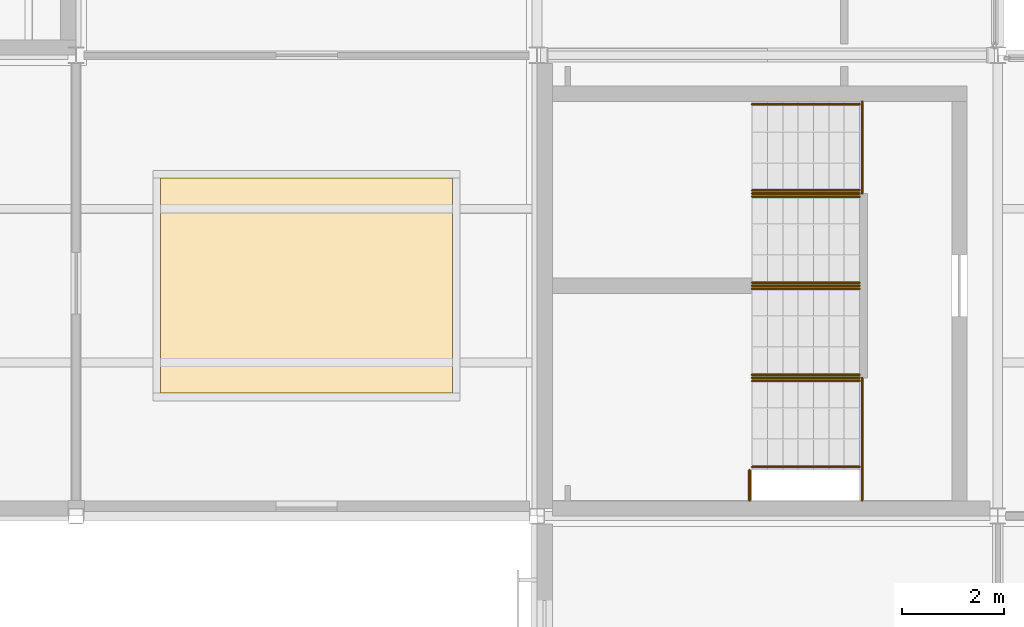
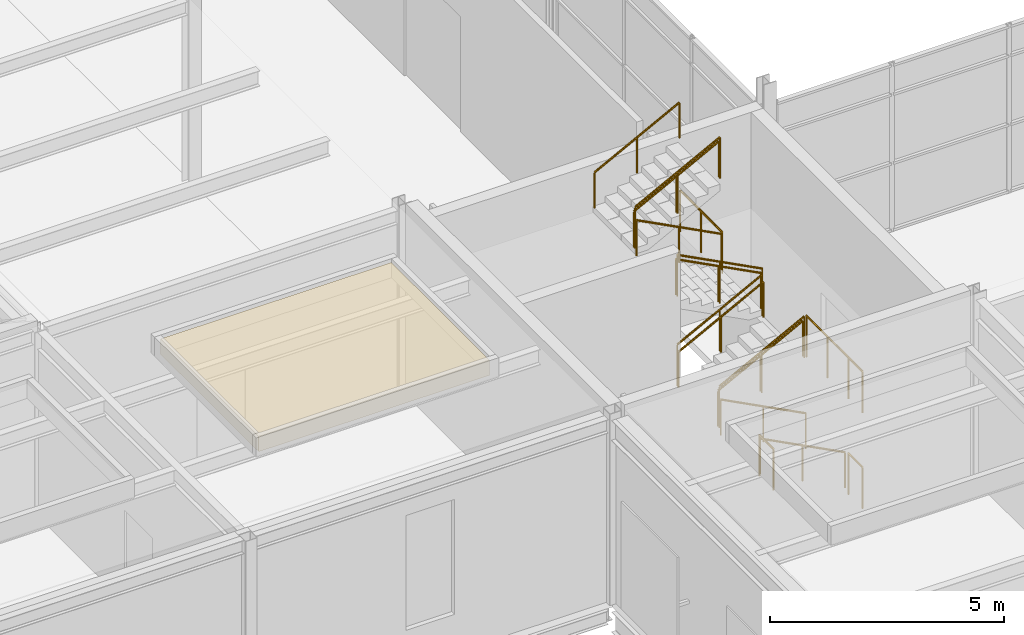
# One storey, part 109 of 115: 17 railings, 1 covering.
"""IFC4 building model written with IfcOpenShell, lengths in metres."""

from ifc_helpers import new_model, si_unit, direction, frame, origin, origin_2d, place, context, subcontext, project, spatial, polyline, circle, outline, extrude, material, layer, layer_set, type_object, element, save


model = new_model("IFC4")

# Units and contexts
model_context = context("Model", 3, precision=1e-05, world=origin(), true_north=direction((0.0, 1.0)))
body_context = subcontext(model_context, "Body", "Model", "MODEL_VIEW")
ifc_project = project(units=[si_unit("LENGTHUNIT", "METRE"), si_unit("AREAUNIT", "SQUARE_METRE"), si_unit("VOLUMEUNIT", "CUBIC_METRE"), si_unit("PLANEANGLEUNIT", "RADIAN"), si_unit("MASSUNIT", "GRAM", prefix="KILO")], contexts=[model_context])

# Site, building, storey
site_placement = place(None, origin())
site = spatial("IfcSite", under=ifc_project, at=site_placement, CompositionType="ELEMENT")
building_placement = place(site_placement, origin())
building = spatial("IfcBuilding", under=site, at=building_placement, Name="Shorebreak Coast Museum", CompositionType="ELEMENT")
storey_placement = place(building_placement, frame((0.0, 0.0, 11.0)))
storey = spatial("IfcBuildingStorey", under=building, at=storey_placement, Name="L02", CompositionType="ELEMENT", Elevation=11.0)

# Covering
ifc_material_1 = material(Name="Growing medium")
ifc_layer = layer(ifc_material_1, 0.39990234375)
ifc_layer_set = layer_set([ifc_layer], Name="Growing medium")
covering_type = type_object("IfcCoveringType", Name="Roof garden planting 400", PredefinedType="FLOORING", material=ifc_layer_set)
covering_placement = place(storey_placement, frame((0.0, 0.0, 5.0)))
element("IfcCovering", 1, at=covering_placement, inside=storey, type_object=covering_type, Name="Roof garden planting", PredefinedType="FLOORING", context=body_context, shape_type="SweptSolid", body=[
    extrude(outline(polyline([(52.35009765625, 56.39990234375), (52.35009765625, 60.60009765625), (46.64990234375, 60.60009765625), (46.64990234375, 56.39990234375), (52.35009765625, 56.39990234375)])), origin(), (0.0, 0.0, 1.0), 0.39990234375),
])

# Railings
ifc_material_2 = material(Name="Steel Grade 300", Category="steel")
railing_type_1 = type_object("IfcRailingType", Name="Stair guard 1100", PredefinedType="GUARDRAIL", material=ifc_material_2)
for number, where, name in (
    (2, (60.35009765625, 54.89990234375, 2.5), "Guard ST01 L02 landing mid1"),
    (3, (60.35009765625, 60.300048828125, 2.5), "Guard ST01 L02 landing mid1"),
):
    element("IfcRailing", number, at=place(storey_placement, frame(where)), inside=storey, type_object=railing_type_1, Name=name, PredefinedType="GUARDRAIL", context=body_context, shape_type="SweptSolid", body=[
        extrude(circle(Radius=0.02490234375, at=origin_2d()), frame((0.0, 0.0, 1.0751953125), z_axis=(0.0, 1.0, 0.0), x_axis=(-1.0, 0.0, 0.0)), (0.0, 0.0, 1.0), 1.800048828125),
        extrude(circle(Radius=0.02001953125, at=origin_2d()), origin(), (0.0, 0.0, 1.0), 1.050048828125),
        extrude(circle(Radius=0.02001953125, at=origin_2d()), frame((0.0, 0.89990234375, 0.0)), (0.0, 0.0, 1.0), 1.050048828125),
        extrude(circle(Radius=0.02001953125, at=origin_2d()), frame((0.0, 1.800048828125, 0.0)), (0.0, 0.0, 1.0), 1.050048828125),
    ])
for number, where, name in (
    (4, (60.35009765625, 54.300048828125, 0.0), "Guard ST01 L02 landing strip"),
    (5, (60.35009765625, 54.300048828125, 2.5), "Guard ST01 L02 landing strip"),
    (6, (58.14990234375, 54.300048828125, 1.25), "Guard ST01 L02 landing strip"),
):
    element("IfcRailing", number, at=place(storey_placement, frame(where)), inside=storey, type_object=railing_type_1, Name=name, PredefinedType="GUARDRAIL", context=body_context, shape_type="SweptSolid", body=[
        extrude(circle(Radius=0.02490234375, at=origin_2d()), frame((0.0, 0.0, 1.0751953125), z_axis=(0.0, 1.0, 0.0), x_axis=(-1.0, 0.0, 0.0)), (0.0, 0.0, 1.0), 0.599853515625),
        extrude(circle(Radius=0.02001953125, at=origin_2d()), origin(), (0.0, 0.0, 1.0), 1.050048828125),
        extrude(circle(Radius=0.02001953125, at=origin_2d()), frame((0.0, 0.599853515625, 0.0)), (0.0, 0.0, 1.0), 1.050048828125),
    ])
for number, where, name in (
    (7, (58.199951171875, 56.699951171875, 1.40625), "Guard ST01-L02 well 1"),
    (8, (58.199951171875, 60.300048828125, 3.90625), "Guard ST01-L02 well 2"),
    (9, (58.199951171875, 58.5, 1.40625), "Guard ST01-L02 side 1"),
):
    element("IfcRailing", number, at=place(storey_placement, frame(where)), inside=storey, type_object=railing_type_1, Name=name, PredefinedType="GUARDRAIL", context=body_context, shape_type="SweptSolid", body=[
        extrude(circle(Radius=0.02490234375, at=origin_2d()), frame((0.0, 0.0, 1.0751953125), z_axis=(0.8869228845, 0.0, 0.461917521804), x_axis=(0.0, 1.0, 0.0)), (0.0, 0.0, 1.0), 2.367919921875),
        extrude(circle(Radius=0.02001953125, at=origin_2d()), origin(), (0.0, 0.0, 1.0), 1.050048828125),
        extrude(circle(Radius=0.02001953125, at=origin_2d()), frame((1.050048828125, 0.0, 0.546875)), (0.0, 0.0, 1.0), 1.050048828125),
        extrude(circle(Radius=0.02001953125, at=origin_2d()), frame((2.10009765625, 0.0, 1.09375)), (0.0, 0.0, 1.0), 1.050048828125),
    ])
railing_placement = place(storey_placement, frame((60.300048828125, 58.5, 2.65625)))
element("IfcRailing", 10, at=railing_placement, inside=storey, type_object=railing_type_1, Name="Guard ST01-L02 side 2", PredefinedType="GUARDRAIL", context=body_context, shape_type="SweptSolid", body=[
    extrude(circle(Radius=0.02490234375, at=origin_2d()), frame((0.0, 0.0, 1.0751953125), z_axis=(-0.8869228845, 0.0, 0.461917521804), x_axis=(0.0, -1.0, 0.0)), (0.0, 0.0, 1.0), 2.367919921875),
    extrude(circle(Radius=0.02001953125, at=origin_2d()), origin(), (0.0, 0.0, 1.0), 1.050048828125),
    extrude(circle(Radius=0.02001953125, at=origin_2d()), frame((-1.050048828125, 0.0, 0.546875)), (0.0, 0.0, 1.0), 1.050048828125),
    extrude(circle(Radius=0.02001953125, at=origin_2d()), frame((-2.10009765625, 0.0, 1.09375)), (0.0, 0.0, 1.0), 1.050048828125),
])
ifc_material_3 = material(Name="Steel Grade 300", Category="steel")
railing_type_2 = type_object("IfcRailingType", Name="Stair handrail 950", PredefinedType="HANDRAIL", material=ifc_material_3)
for number, where, name in (
    (11, (60.300048828125, 54.9599609375, 0.15625), "Handrail ST01-L02 flight 1a"),
    (12, (60.300048828125, 56.639892578125, 0.15625), "Handrail ST01-L02 flight 1b"),
):
    element("IfcRailing", number, at=place(storey_placement, frame(where)), inside=storey, type_object=railing_type_2, Name=name, PredefinedType="HANDRAIL", context=body_context, shape_type="SweptSolid", body=[
        extrude(circle(Radius=0.02490234375, at=origin_2d()), frame((0.0, 0.0, 0.9248046875), z_axis=(-0.8869228845, 0.0, 0.461917521804), x_axis=(0.0, -1.0, 0.0)), (0.0, 0.0, 1.0), 2.367919921875),
        extrude(circle(Radius=0.02001953125, at=origin_2d()), origin(), (0.0, 0.0, 1.0), 0.89990234375),
        extrude(circle(Radius=0.02001953125, at=origin_2d()), frame((-1.050048828125, 0.0, 0.546875)), (0.0, 0.0, 1.0), 0.89990234375),
        extrude(circle(Radius=0.02001953125, at=origin_2d()), frame((-2.10009765625, 0.0, 1.09375)), (0.0, 0.0, 1.0), 0.89990234375),
    ])
for number, where, name in (
    (13, (58.199951171875, 56.760009765625, 1.40625), "Handrail ST01-L02 flight 2a"),
    (14, (58.199951171875, 58.43994140625, 1.40625), "Handrail ST01-L02 flight 2b"),
):
    element("IfcRailing", number, at=place(storey_placement, frame(where)), inside=storey, type_object=railing_type_2, Name=name, PredefinedType="HANDRAIL", context=body_context, shape_type="SweptSolid", body=[
        extrude(circle(Radius=0.02490234375, at=origin_2d()), frame((0.0, 0.0, 0.9248046875), z_axis=(0.8869228845, 0.0, 0.461917521804), x_axis=(0.0, 1.0, 0.0)), (0.0, 0.0, 1.0), 2.367919921875),
        extrude(circle(Radius=0.02001953125, at=origin_2d()), origin(), (0.0, 0.0, 1.0), 0.89990234375),
        extrude(circle(Radius=0.02001953125, at=origin_2d()), frame((1.050048828125, 0.0, 0.546875)), (0.0, 0.0, 1.0), 0.89990234375),
        extrude(circle(Radius=0.02001953125, at=origin_2d()), frame((2.10009765625, 0.0, 1.09375)), (0.0, 0.0, 1.0), 0.89990234375),
    ])
for number, where, name in (
    (15, (60.300048828125, 58.56005859375, 2.65625), "Handrail ST01-L02 flight 3a"),
    (16, (60.300048828125, 60.239990234375, 2.65625), "Handrail ST01-L02 flight 3b"),
):
    element("IfcRailing", number, at=place(storey_placement, frame(where)), inside=storey, type_object=railing_type_2, Name=name, PredefinedType="HANDRAIL", context=body_context, shape_type="SweptSolid", body=[
        extrude(circle(Radius=0.02490234375, at=origin_2d()), frame((0.0, 0.0, 0.9248046875), z_axis=(-0.8869228845, 0.0, 0.461917521804), x_axis=(0.0, -1.0, 0.0)), (0.0, 0.0, 1.0), 2.367919921875),
        extrude(circle(Radius=0.02001953125, at=origin_2d()), origin(), (0.0, 0.0, 1.0), 0.89990234375),
        extrude(circle(Radius=0.02001953125, at=origin_2d()), frame((-1.050048828125, 0.0, 0.546875)), (0.0, 0.0, 1.0), 0.89990234375),
        extrude(circle(Radius=0.02001953125, at=origin_2d()), frame((-2.10009765625, 0.0, 1.09375)), (0.0, 0.0, 1.0), 0.89990234375),
    ])
for number, where, name in (
    (17, (58.199951171875, 60.360107421875, 3.90625), "Handrail ST01-L02 flight 4a"),
    (18, (58.199951171875, 62.0400390625, 3.90625), "Handrail ST01-L02 flight 4b"),
):
    element("IfcRailing", number, at=place(storey_placement, frame(where)), inside=storey, type_object=railing_type_2, Name=name, PredefinedType="HANDRAIL", context=body_context, shape_type="SweptSolid", body=[
        extrude(circle(Radius=0.02490234375, at=origin_2d()), frame((0.0, 0.0, 0.9248046875), z_axis=(0.8869228845, 0.0, 0.461917521804), x_axis=(0.0, 1.0, 0.0)), (0.0, 0.0, 1.0), 2.367919921875),
        extrude(circle(Radius=0.02001953125, at=origin_2d()), origin(), (0.0, 0.0, 1.0), 0.89990234375),
        extrude(circle(Radius=0.02001953125, at=origin_2d()), frame((1.050048828125, 0.0, 0.546875)), (0.0, 0.0, 1.0), 0.89990234375),
        extrude(circle(Radius=0.02001953125, at=origin_2d()), frame((2.10009765625, 0.0, 1.09375)), (0.0, 0.0, 1.0), 0.89990234375),
    ])

save(model, "model.ifc")
